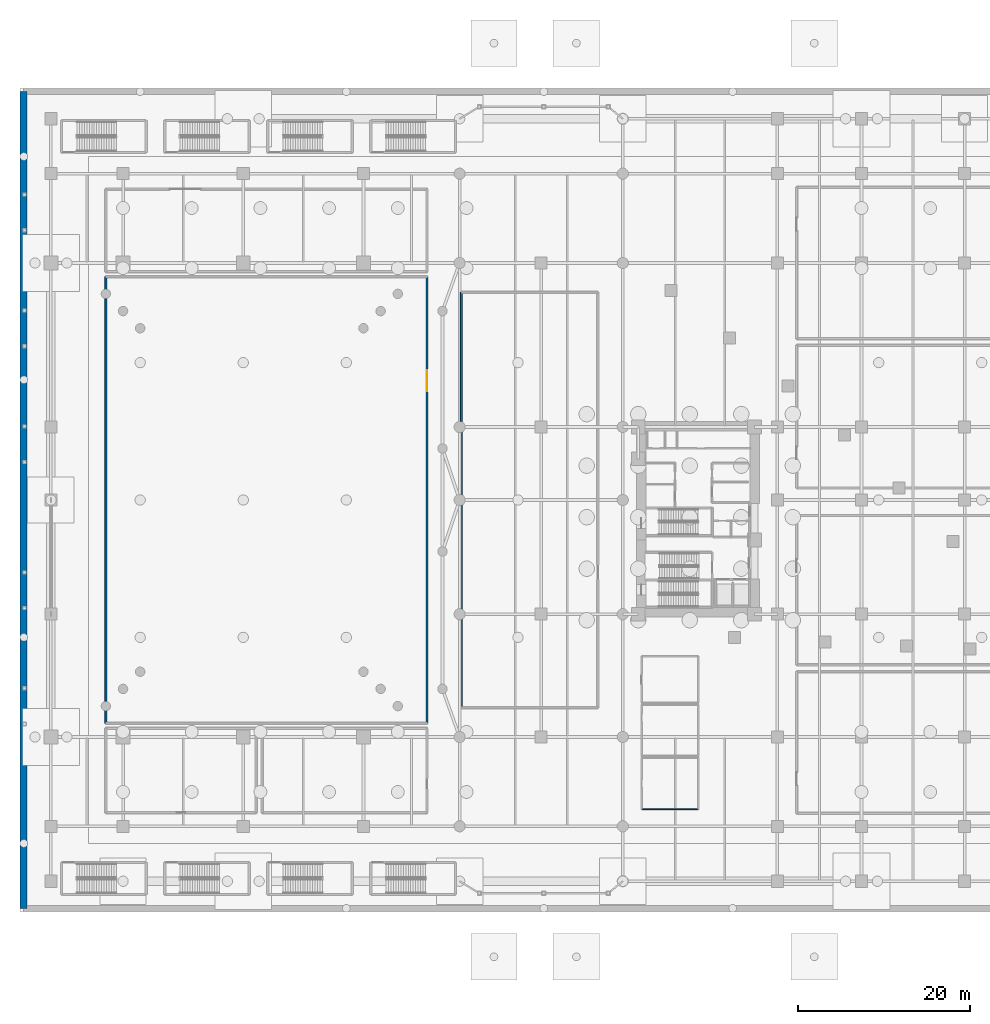
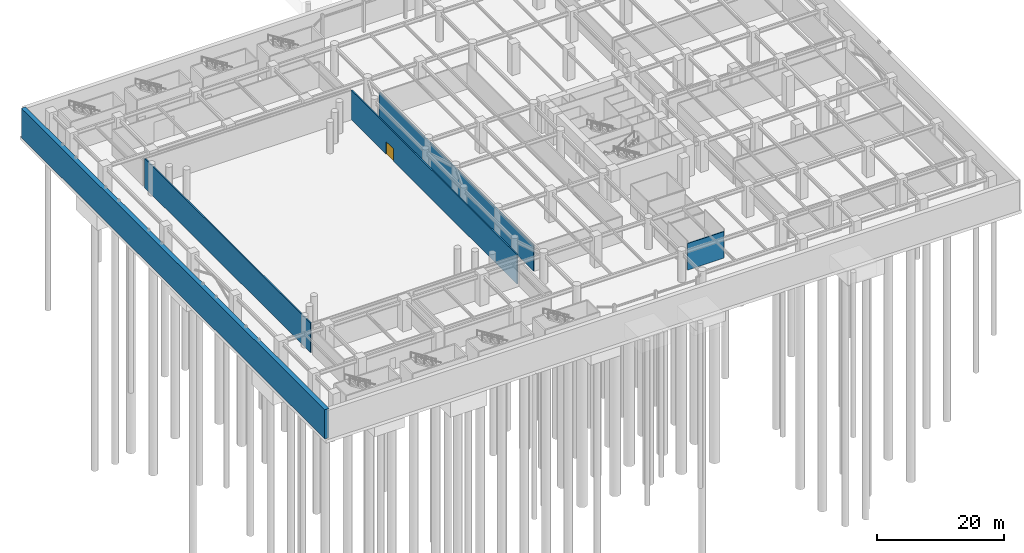
# One storey, part 19 of 37: 5 walls, 1 door, 1 opening.
"""IFC4 building model written with IfcOpenShell, lengths in metres."""

from ifc_helpers import new_model, si_unit, direction, frame, frame_2d, origin, place, context, subcontext, project, spatial, rectangle, extrude, material, layer, layer_set, type_object, element, fill, save


model = new_model("IFC4")

# Units and contexts
model_context = context("Model", 3, precision=1e-05, world=origin(), true_north=direction((0.0, 1.0)))
body_context = subcontext(model_context, "Body", "Model", "MODEL_VIEW")
ifc_project = project(units=[si_unit("LENGTHUNIT", "METRE"), si_unit("AREAUNIT", "SQUARE_METRE"), si_unit("VOLUMEUNIT", "CUBIC_METRE"), si_unit("PLANEANGLEUNIT", "RADIAN"), si_unit("MASSUNIT", "GRAM", prefix="KILO")], contexts=[model_context])

# Site, building, storey
site_placement = place(None, origin())
site = spatial("IfcSite", under=ifc_project, at=site_placement, CompositionType="ELEMENT")
building_placement = place(site_placement, origin())
building = spatial("IfcBuilding", under=site, at=building_placement, Name="Narakoshi Arena Tower", CompositionType="ELEMENT")
storey_placement = place(building_placement, frame((0.0, 0.0, -6.0)))
storey = spatial("IfcBuildingStorey", under=building, at=storey_placement, Name="B01", CompositionType="ELEMENT", Elevation=-6.0)

# Wall, opening, door
ifc_material_1 = material(Name="Concrete C40/50", Category="concrete")
ifc_layer_1 = layer(ifc_material_1, 0.219970703125)
ifc_layer_set_1 = layer_set([ifc_layer_1], Name="Concrete C40/50")
wall_type_1 = type_object("IfcWallType", Name="WL-COMP-220", PredefinedType="SOLIDWALL", material=ifc_layer_set_1)
wall_1_placement = place(storey_placement, frame((47.39990234375, 22.0, 0.0), z_axis=(0.0, 0.0, 1.0), x_axis=(0.0, 1.0, 0.0)))
wall_1 = element("IfcWall", 1, at=wall_1_placement, inside=storey, type_object=wall_type_1, Name="B01 Arena Competition Event Floor Wall E", PredefinedType="SOLIDWALL", context=body_context, shape_type="SweptSolid", body=[
    extrude(rectangle(XDim=52.0, YDim=0.219970703125, at=frame_2d((26.0, 0.0))), origin(), (0.0, 0.0, 1.0), 5.60009765625),
])
opening_placement = place(wall_1_placement, frame((38.68798828125, 0.0, 0.0)))
opening = element("IfcOpeningElement", 2, at=opening_placement, cuts=wall_1, Name="Opening D-02", PredefinedType="OPENING", context=body_context, shape_type="SweptSolid", body=[
    extrude(rectangle(XDim=2.39990234375, YDim=2.39990234375, at=frame_2d((1.199951171875, 1.199951171875))), frame((0.0, 0.119873046875, 0.0), z_axis=(0.0, -1.0, 0.0), x_axis=(1.0, 0.0, 0.0)), (0.0, 0.0, 1.0), 0.239990234375),
])
ifc_material_2 = material(Name="Painted galvanized steel", Category="steel")
door_type = type_object("IfcDoorType", Name="DR-ARN-2400", OperationType="DOUBLE_DOOR_SINGLE_SWING", PredefinedType="USERDEFINED", material=ifc_material_2)
door_placement = place(opening_placement, frame((2.39990234375, 0.0, 0.0), z_axis=(0.0, 0.0, 1.0), x_axis=(-1.0, 0.0, 0.0)))
door = element("IfcDoor", 3, at=door_placement, inside=storey, type_object=door_type, Name="DR-B01-024", ObjectType="EXITDOOR", OperationType="DOUBLE_DOOR_SINGLE_SWING", OverallHeight=2.39990234375, OverallWidth=2.39990234375, PredefinedType="USERDEFINED", context=body_context, shape_type="SweptSolid", body=[
    extrude(rectangle(XDim=2.39990234375, YDim=2.39990234375, at=frame_2d((1.199951171875, 1.199951171875))), frame((0.0, 0.02490234375, 0.0), z_axis=(0.0, -1.0, 0.0), x_axis=(1.0, 0.0, 0.0)), (0.0, 0.0, 1.0), 0.050048828125),
])
fill(opening, door)

# Walls
wall_2_placement = place(storey_placement, frame((10.0, 74.0, 0.0), z_axis=(0.0, 0.0, 1.0), x_axis=(0.0, -1.0, 0.0)))
element("IfcWall", 4, at=wall_2_placement, inside=storey, type_object=wall_type_1, Name="B01 Arena Competition Event Floor Wall W", PredefinedType="SOLIDWALL", context=body_context, shape_type="SweptSolid", body=[
    extrude(rectangle(XDim=52.0, YDim=0.219970703125, at=frame_2d((26.0, 0.0))), origin(), (0.0, 0.0, 1.0), 5.60009765625),
])
wall_3_placement = place(storey_placement, frame((51.39990234375, 72.199951171875, 0.0), z_axis=(0.0, 0.0, 1.0), x_axis=(0.0, -1.0, 0.0)))
element("IfcWall", 5, at=wall_3_placement, inside=storey, type_object=wall_type_1, Name="B01 Sub-Concourse MEP Equipment Plant Room Wall W", PredefinedType="SOLIDWALL", context=body_context, shape_type="SweptSolid", body=[
    extrude(rectangle(XDim=48.39990234375, YDim=0.219970703125, at=frame_2d((24.199951171875, 0.0))), origin(), (0.0, 0.0, 1.0), 4.885009765625),
])
ifc_material_3 = material(Name="Concrete C45/55", Category="concrete")
ifc_layer_2 = layer(ifc_material_3, 0.800048828125)
ifc_layer_set_2 = layer_set([ifc_layer_2], Name="Concrete C45/55")
wall_type_2 = type_object("IfcWallType", Name="WL-RET-800", PredefinedType="USERDEFINED", material=ifc_layer_set_2)
wall_4_placement = place(storey_placement, frame((0.39990234375, 95.60009765625, 0.0), z_axis=(0.0, 0.0, 1.0), x_axis=(0.0, -1.0, 0.0)))
element("IfcWall", 6, at=wall_4_placement, inside=storey, type_object=wall_type_2, Name="B01 Diaphragm Retaining Wall W", ObjectType="RETAININGWALL", PredefinedType="USERDEFINED", context=body_context, shape_type="SweptSolid", body=[
    extrude(rectangle(XDim=95.2001953125, YDim=0.800048828125, at=frame_2d((47.60009765625, 0.0))), origin(), (0.0, 0.0, 1.0), 5.60009765625),
])
ifc_material_4 = material(Name="Moisture-resistant cement-board partition")
ifc_layer_3 = layer(ifc_material_4, 0.14501953125)
ifc_layer_set_3 = layer_set([ifc_layer_3], Name="Moisture-resistant cement-board partition")
wall_type_3 = type_object("IfcWallType", Name="WL-WET-145", PredefinedType="PARTITIONING", material=ifc_layer_set_3)
wall_5_placement = place(storey_placement, frame((72.39990234375, 12.0, 0.0), z_axis=(0.0, 0.0, 1.0), x_axis=(1.0, 0.0, 0.0)))
element("IfcWall", 7, at=wall_5_placement, inside=storey, type_object=wall_type_3, Name="B01 Staff Male Restroom WC Wall S", PredefinedType="PARTITIONING", context=body_context, shape_type="SweptSolid", body=[
    extrude(rectangle(XDim=6.60009765625, YDim=0.14501953125, at=frame_2d((3.300048828125, 0.0))), origin(), (0.0, 0.0, 1.0), 5.0849609375),
])

save(model, "model.ifc")
